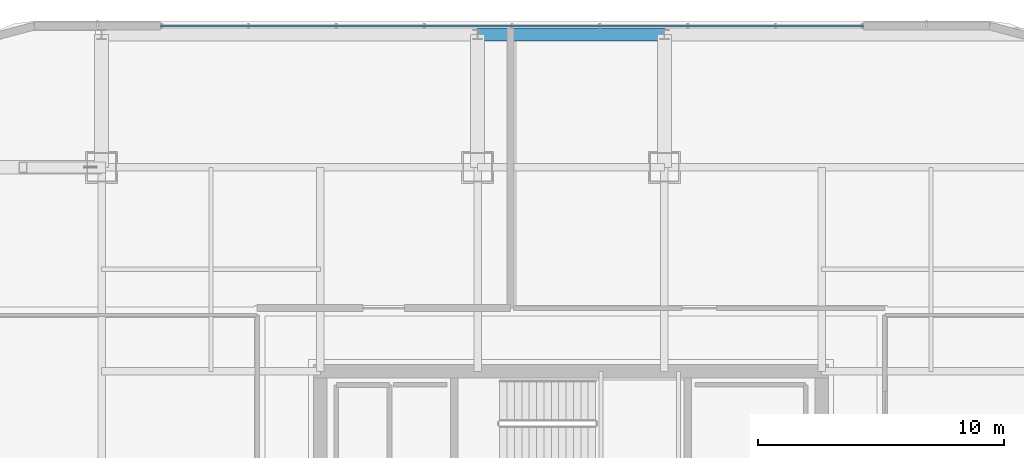
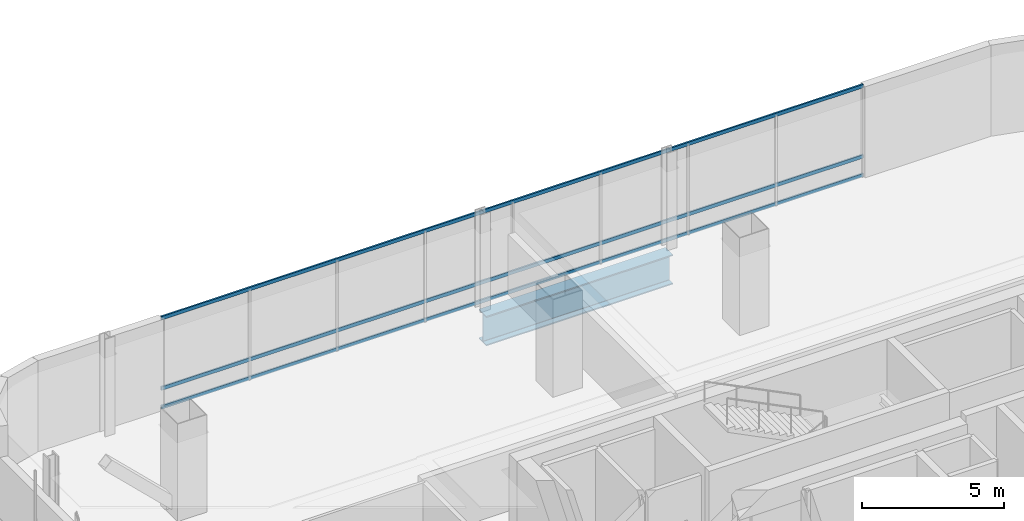
# One storey, part 25 of 51: 3 members, 1 beam, 1 element without a shape of its own.
"""IFC4 building model written with IfcOpenShell, lengths in metres."""

from ifc_helpers import new_model, si_unit, direction, frame, origin, origin_2d, place, context, subcontext, project, spatial, hollow_rectangle, i_section, extrude, material, material_profile, profile_set, type_object, element, aggregate, save


model = new_model("IFC4")

# Units and contexts
model_context = context("Model", 3, precision=1e-05, world=origin(), true_north=direction((0.0, 1.0)))
body_context = subcontext(model_context, "Body", "Model", "MODEL_VIEW")
ifc_project = project(units=[si_unit("LENGTHUNIT", "METRE"), si_unit("AREAUNIT", "SQUARE_METRE"), si_unit("VOLUMEUNIT", "CUBIC_METRE"), si_unit("PLANEANGLEUNIT", "RADIAN"), si_unit("MASSUNIT", "GRAM", prefix="KILO")], contexts=[model_context])

# Site, building, storey
site_placement = place(None, origin())
site = spatial("IfcSite", under=ifc_project, at=site_placement, CompositionType="ELEMENT")
building_placement = place(site_placement, origin())
building = spatial("IfcBuilding", under=site, at=building_placement, Name="Punatoya Terracotta Tower", CompositionType="ELEMENT")
storey_placement = place(building_placement, frame((0.0, 0.0, 313.199951171875)))
storey = spatial("IfcBuildingStorey", under=building, at=storey_placement, Name="L74", CompositionType="ELEMENT", Elevation=313.199951171875)

# Beam
ifc_material_1 = material(Name="Steel S460", Category="steel")
ifc_material_profile_1 = material_profile(ifc_material_1, i_section(OverallWidth=0.52001953125, OverallDepth=1.280029296875, WebThickness=0.031982421875, FlangeThickness=0.050048828125, FilletRadius=0.01806640625, at=origin_2d()))
ifc_profile_set_1 = profile_set([ifc_material_profile_1], Name="Steel S460")
beam_type = type_object("IfcBeamType", Name="BM-TG-NCK", PredefinedType="BEAM", material=ifc_profile_set_1)
beam_placement = place(storey_placement, frame((-3.800048828125, 22.89990234375, -0.83984375), z_axis=(1.0, 0.0, 0.0), x_axis=(0.0, 1.0, 0.0)))
element("IfcBeam", 1, at=beam_placement, inside=storey, type_object=beam_type, Name="BM-L74-PER-N2", PredefinedType="BEAM", context=body_context, shape_type="SweptSolid", body=[
    extrude(i_section(OverallWidth=0.52001953125, OverallDepth=1.280029296875, WebThickness=0.031982421875, FlangeThickness=0.050048828125, FilletRadius=0.01806640625, at=origin_2d()), origin(), (0.0, 0.0, 1.0), 7.60009765625),
])

# Curtain wall, members
ifc_material_2 = material(Name="Aluminium 6063-T6 + Double Low-E Glass", Category="aluminium")
curtain_wall_type = type_object("IfcCurtainWallType", Name="CW-M3", PredefinedType="NOTDEFINED", material=ifc_material_2)
curtain_wall_placement = place(storey_placement, origin())
curtain_wall = element("IfcCurtainWall", 2, at=curtain_wall_placement, inside=storey, type_object=curtain_wall_type, Name="L74 Curtain Wall CW-L74-N09-1", PredefinedType="NOTDEFINED")
ifc_material_3 = material(Name="Aluminium 6063-T6", Category="aluminium")
ifc_material_profile_2 = material_profile(ifc_material_3, hollow_rectangle(XDim=0.068115234375, YDim=0.14990234375, WallThickness=0.00390625, at=origin_2d()))
ifc_profile_set_2 = profile_set([ifc_material_profile_2], Name="Aluminium 6063-T6")
member_type = type_object("IfcMemberType", Name="CW-TRN-TYP", PredefinedType="USERDEFINED", material=ifc_profile_set_2)
member_1_placement = place(storey_placement, frame((11.89990234375, 23.25, 0.0400390625), z_axis=(-1.0, 0.0, 0.0), x_axis=(0.0, -1.0, 0.0)))
member_1 = element("IfcMember", 3, at=member_1_placement, type_object=member_type, Name="CW-L74-N09-1 Transom 1", ObjectType="TRANSOM", PredefinedType="USERDEFINED", context=body_context, shape_type="SweptSolid", body=[
    extrude(hollow_rectangle(XDim=0.068115234375, YDim=0.14990234375, WallThickness=0.00390625, at=origin_2d()), origin(), (0.0, 0.0, 1.0), 28.599853515625),
])
member_2_placement = place(storey_placement, frame((11.89990234375, 23.25, 0.85009765625), z_axis=(-1.0, 0.0, 0.0), x_axis=(0.0, -1.0, 0.0)))
member_2 = element("IfcMember", 4, at=member_2_placement, type_object=member_type, Name="CW-L74-N09-1 Transom 2", ObjectType="TRANSOM", PredefinedType="USERDEFINED", context=body_context, shape_type="SweptSolid", body=[
    extrude(hollow_rectangle(XDim=0.068115234375, YDim=0.14990234375, WallThickness=0.00390625, at=origin_2d()), origin(), (0.0, 0.0, 1.0), 28.599853515625),
])
member_3_placement = place(storey_placement, frame((11.89990234375, 23.25, 3.880126953125), z_axis=(-1.0, 0.0, 0.0), x_axis=(0.0, -1.0, 0.0)))
member_3 = element("IfcMember", 5, at=member_3_placement, type_object=member_type, Name="CW-L74-N09-1 Transom 3", ObjectType="TRANSOM", PredefinedType="USERDEFINED", context=body_context, shape_type="SweptSolid", body=[
    extrude(hollow_rectangle(XDim=0.068115234375, YDim=0.14990234375, WallThickness=0.00390625, at=origin_2d()), origin(), (0.0, 0.0, 1.0), 28.599853515625),
])
aggregate(curtain_wall, [member_1, member_2, member_3])

save(model, "model.ifc")
